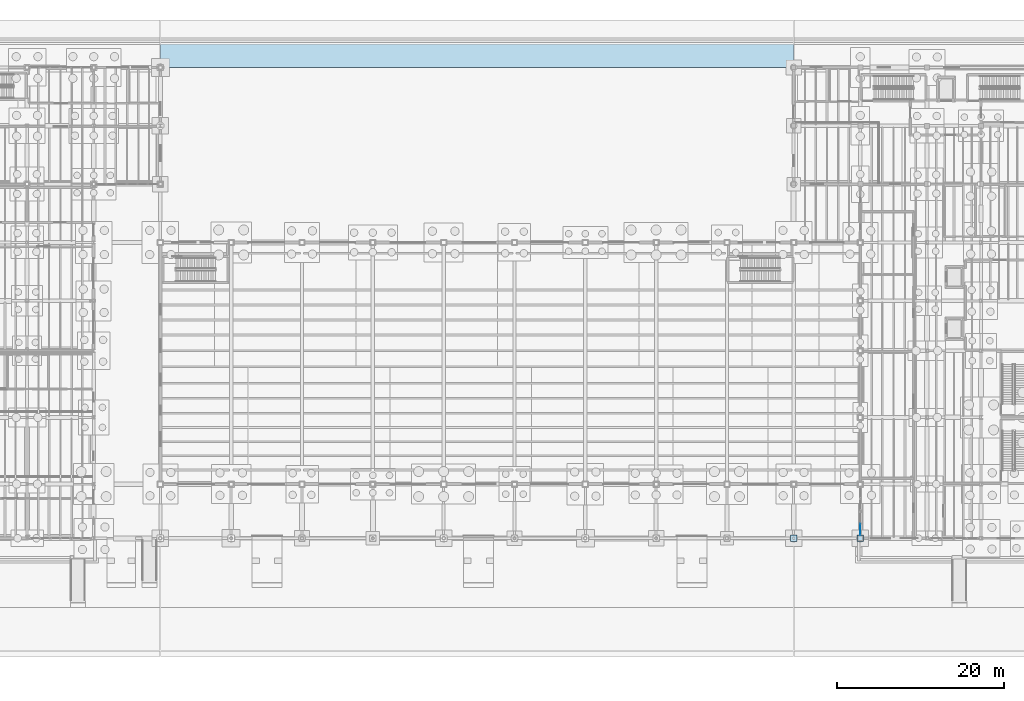
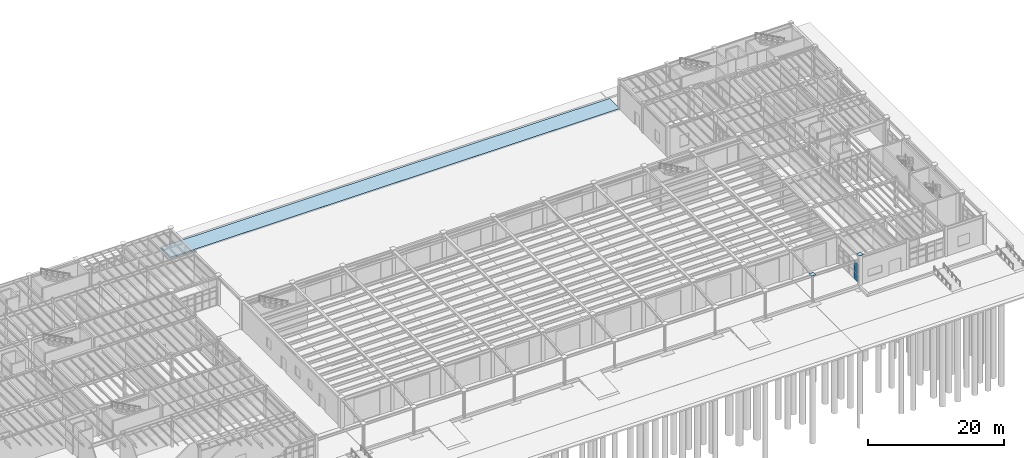
# One storey, part 52 of 86: 5 plates, 1 slab, 1 element without a shape of its own.
"""IFC4 building model written with IfcOpenShell, lengths in metres."""

import ifcopenshell
import ifcopenshell.guid

model = None  # the IFC model being written
_history = None  # IfcOwnerHistory: only IFC2X3 demands one
_inside = {}  # id of a spatial element -> (the spatial element, [elements in it])
_under = {}  # id of a project, library or spatial element -> (it, [spatial elements below it])
_declared = {}  # id of a project -> (the project, [libraries it declares])
_typed = {}  # id of a type object -> (the type object, [elements of that type])
_made_of = {}  # id of a material, layer set ... -> (it, [elements and type objects made of it])


def new_model(schema):
    """Start an empty IFC model of exactly this schema.

    Asked for "IFC4X3", IfcOpenShell would pick the latest addendum, in which some entities
    have other attributes; the version numbers below select the first issue.
    IFC2X3 requires an IfcOwnerHistory on every rooted entity: one is made here for all.
    """
    global model, _history
    if schema == "IFC4X3":
        model = ifcopenshell.file(schema_version=(4, 3, 0, 0))
    else:
        model = ifcopenshell.file(schema=schema)
    _inside.clear()
    _under.clear()
    _declared.clear()
    _typed.clear()
    _made_of.clear()
    _history = None
    if model.schema == "IFC2X3":
        org = make("IfcOrganization", Name="unknown")
        user = make(
            "IfcPersonAndOrganization",
            ThePerson=make("IfcPerson", FamilyName="unknown"),
            TheOrganization=org,
        )
        app = make(
            "IfcApplication",
            ApplicationDeveloper=org,
            Version="unknown",
            ApplicationFullName="unknown",
            ApplicationIdentifier="unknown",
        )
        _history = make(
            "IfcOwnerHistory",
            OwningUser=user,
            OwningApplication=app,
            ChangeAction="ADDED",
            CreationDate=0,
        )
    return model


def make(cls, **values):
    """One entity of the class cls with the attributes given. An attribute that is None is left unset."""
    return model.create_entity(
        cls, **{name: value for name, value in values.items() if value is not None}
    )


def rooted(cls, **values):
    """An entity with a GlobalId (a new one), such as an element, a storey or a relation."""
    return make(cls, GlobalId=ifcopenshell.guid.new(), OwnerHistory=_history, **values)


def si_unit(unit_type, name, prefix=None):
    """IfcSIUnit, for example si_unit("LENGTHUNIT", "METRE", prefix="MILLI")."""
    return make("IfcSIUnit", UnitType=unit_type, Prefix=prefix, Name=name)


def assignment(units):
    """IfcUnitAssignment: the units of a project."""
    return None if units is None else make("IfcUnitAssignment", Units=units)


def point(xyz):
    """IfcCartesianPoint."""
    return None if xyz is None else make("IfcCartesianPoint", Coordinates=xyz)


def direction(xyz):
    """IfcDirection."""
    return None if xyz is None else make("IfcDirection", DirectionRatios=xyz)


def frame(location, z_axis=None, x_axis=None):
    """IfcAxis2Placement3D, a coordinate frame: its origin and axes. An axis left out is left unset."""
    return make(
        "IfcAxis2Placement3D",
        Location=point(location),
        Axis=direction(z_axis),
        RefDirection=direction(x_axis),
    )


def frame_2d(location, x_axis=None):
    """IfcAxis2Placement2D, a coordinate frame in the plane: its origin and x axis."""
    return make(
        "IfcAxis2Placement2D", Location=point(location), RefDirection=direction(x_axis)
    )


def origin():
    """The frame at (0, 0, 0) with its axes left unset."""
    return frame((0.0, 0.0, 0.0))


def origin_2d():
    """The frame at (0, 0) in the plane with its x axis left unset."""
    return frame_2d((0.0, 0.0))


def place(relative_to, where):
    """IfcLocalPlacement: puts the frame where relative to a parent placement (None: the world)."""
    return make(
        "IfcLocalPlacement", PlacementRelTo=relative_to, RelativePlacement=where
    )


def context(
    kind, dimensions, precision=None, world=None, true_north=None, identifier=None
):
    """IfcGeometricRepresentationContext, for example the 3D "Model" context."""
    return make(
        "IfcGeometricRepresentationContext",
        ContextIdentifier=identifier,
        ContextType=kind,
        CoordinateSpaceDimension=dimensions,
        Precision=precision,
        WorldCoordinateSystem=world,
        TrueNorth=true_north,
    )


def subcontext(parent, identifier, kind, view, scale=None):
    """IfcGeometricRepresentationSubContext, for example "Body" below "Model"."""
    return make(
        "IfcGeometricRepresentationSubContext",
        ContextIdentifier=identifier,
        ContextType=kind,
        ParentContext=parent,
        TargetScale=scale,
        TargetView=view,
    )


def project(units=None, contexts=None):
    """IfcProject with its units and contexts."""
    return rooted(
        "IfcProject",
        Name="project",
        RepresentationContexts=contexts,
        UnitsInContext=assignment(units),
    )


def spatial(cls, under=None, at=None, **own):
    """A site, building, storey or space (cls), placed at a placement, below another one or the project."""
    s = rooted(cls, ObjectPlacement=at, **own)
    if under is not None:
        _under.setdefault(under.id(), (under, []))[1].append(s)
    return s


def polyline(points):
    """IfcPolyline through the points."""
    return make("IfcPolyline", Points=[point(p) for p in points])


def profile(cls, at=None, kind="AREA", **sizes):
    """A parametric profile (cls). Its sizes go by their IFC names, for example OverallWidth=200.0."""
    return make(cls, ProfileType=kind, Position=at, **sizes)


def rectangle(**sizes):
    """IfcRectangleProfileDef."""
    return profile("IfcRectangleProfileDef", **sizes)


def outline(outer, holes=None, kind="AREA"):
    """IfcArbitraryClosedProfileDef: a profile drawn as a closed curve; with holes, ...WithVoids."""
    if holes is None:
        return make("IfcArbitraryClosedProfileDef", ProfileType=kind, OuterCurve=outer)
    return make(
        "IfcArbitraryProfileDefWithVoids",
        ProfileType=kind,
        OuterCurve=outer,
        InnerCurves=holes,
    )


def extrude(swept, where, along, depth):
    """IfcExtrudedAreaSolid: the profile swept, set in the frame where, extruded along a direction by depth."""
    return make(
        "IfcExtrudedAreaSolid",
        SweptArea=swept,
        Position=where,
        ExtrudedDirection=direction(along),
        Depth=depth,
    )


def shape(context_of_items, identifier, shape_type, items):
    """IfcShapeRepresentation: the items that make up one representation, for example the "Body"."""
    return make(
        "IfcShapeRepresentation",
        ContextOfItems=context_of_items,
        RepresentationIdentifier=identifier,
        RepresentationType=shape_type,
        Items=items,
    )


def material(Name=None, Category=None):
    """IfcMaterial."""
    return make("IfcMaterial", Name=Name, Category=Category)


def layer(
    of_material, thickness, ventilated=None, Name=None, Category=None, Priority=None
):
    """IfcMaterialLayer: one layer of a wall or slab, of a material (None: an air gap)."""
    return make(
        "IfcMaterialLayer",
        Material=of_material,
        LayerThickness=thickness,
        IsVentilated=ventilated,
        Name=Name,
        Category=Category,
        Priority=Priority,
    )


def layer_set(layers, Name=None):
    """IfcMaterialLayerSet."""
    return make("IfcMaterialLayerSet", MaterialLayers=layers, LayerSetName=Name)


def material_profile(
    of_material, cross_section, Name=None, Category=None, Priority=None
):
    """IfcMaterialProfile: a cross section and its material."""
    return make(
        "IfcMaterialProfile",
        Name=Name,
        Material=of_material,
        Profile=cross_section,
        Priority=Priority,
        Category=Category,
    )


def profile_set(profiles, Name=None, composite=None):
    """IfcMaterialProfileSet."""
    return make(
        "IfcMaterialProfileSet",
        Name=Name,
        MaterialProfiles=profiles,
        CompositeProfile=composite,
    )


def made_of(thing, what):
    """Note that an element or type object is made of a material, layer set ...; save() writes the relation."""
    if what is not None:
        _made_of.setdefault(what.id(), (what, []))[1].append(thing)
    return thing


def type_object(cls, material=None, **own):
    """A type object (cls), such as IfcWallType, which elements share."""
    return made_of(rooted(cls, **own), material)


def element(
    cls,
    number,
    at=None,
    inside=None,
    cuts=None,
    type_object=None,
    material=None,
    context=None,
    identifier="Body",
    shape_type=None,
    held_by="IfcProductDefinitionShape",
    body=None,
    shapes=None,
    **own,
):
    """One element of the class cls, such as IfcWall. Its Tag is "e" and its number.

    at: its placement. inside: the storey or other place that contains it. cuts: it is an
    opening in that element (IfcRelVoidsElement). A single representation is given by context,
    identifier, shape_type and body (its items); several are given by shapes. held_by: the class
    of the entity that holds the representations. save() writes the other relations.
    """
    e = rooted(cls, Tag="e%d" % number, ObjectPlacement=at, **own)
    if body is not None:
        shapes = [shape(context, identifier, shape_type, body)]
    if shapes is not None:
        e.Representation = make(held_by, Representations=shapes)
    if inside is not None:
        _inside.setdefault(inside.id(), (inside, []))[1].append(e)
    if cuts is not None:
        rooted(
            "IfcRelVoidsElement", RelatingBuildingElement=cuts, RelatedOpeningElement=e
        )
    if type_object is not None:
        _typed.setdefault(type_object.id(), (type_object, []))[1].append(e)
    return made_of(e, material)


def aggregate(whole, parts):
    """IfcRelAggregates: a whole, such as a stair, and the parts it consists of."""
    return rooted("IfcRelAggregates", RelatingObject=whole, RelatedObjects=parts)


def save(model, path):
    """Write the relations noted so far, then the file.

    IfcRelAggregates (storeys below a building ...), IfcRelContainedInSpatialStructure (elements
    in a storey), IfcRelDefinesByType, IfcRelAssociatesMaterial and IfcRelDeclares: one each for
    every whole, place, type object, material and project.
    """
    for whole, parts in _under.values():
        aggregate(whole, parts)
    for where, things in _inside.values():
        rooted(
            "IfcRelContainedInSpatialStructure",
            RelatedElements=things,
            RelatingStructure=where,
        )
    for kind, things in _typed.values():
        rooted("IfcRelDefinesByType", RelatedObjects=things, RelatingType=kind)
    for what, things in _made_of.values():
        rooted("IfcRelAssociatesMaterial", RelatedObjects=things, RelatingMaterial=what)
    for by, libraries in _declared.values():
        rooted("IfcRelDeclares", RelatingContext=by, RelatedDefinitions=libraries)
    model.write(path)


model = new_model("IFC4")

# Units and contexts
model_context = context("Model", 3, precision=1e-05, world=origin(), true_north=direction((0.0, 1.0)))
body_context = subcontext(model_context, "Body", "Model", "MODEL_VIEW")
ifc_project = project(units=[si_unit("LENGTHUNIT", "METRE"), si_unit("AREAUNIT", "SQUARE_METRE"), si_unit("VOLUMEUNIT", "CUBIC_METRE"), si_unit("PLANEANGLEUNIT", "RADIAN"), si_unit("MASSUNIT", "GRAM", prefix="KILO"), si_unit("THERMODYNAMICTEMPERATUREUNIT", "KELVIN"), si_unit("POWERUNIT", "WATT")], contexts=[model_context])

# Site, building, storey
site_placement = place(None, origin())
site = spatial("IfcSite", under=ifc_project, at=site_placement, CompositionType="ELEMENT")
building_placement = place(site_placement, origin())
building = spatial("IfcBuilding", under=site, at=building_placement, Name="Zhenchuan Central Fire Station", CompositionType="ELEMENT")
storey_placement = place(building_placement, frame((0.0, 0.0, 0.449951171875)))
storey = spatial("IfcBuildingStorey", under=building, at=storey_placement, Name="L01", CompositionType="ELEMENT", Elevation=0.449951171875)

# Curtain wall, plates
ifc_material_1 = material(Name="Anodised aluminium and low-E glazing", Category="aluminium")
curtain_wall_type = type_object("IfcCurtainWallType", Name="CW-MOD-09", PredefinedType="USERDEFINED", material=ifc_material_1)
curtain_wall_placement = place(storey_placement, origin())
curtain_wall = element("IfcCurtainWall", 1, at=curtain_wall_placement, inside=storey, type_object=curtain_wall_type, Name="L01 Unitised Curtain Wall 080", ObjectType="UNITISED GLAZING", PredefinedType="USERDEFINED")
ifc_material_2 = material(Name="Laminated low-E double glazing", Category="glass")
ifc_layer_1 = layer(ifc_material_2, 0.011962890625, Name="Laminated low-E double glazing", Category="glass")
ifc_layer_set_1 = layer_set([ifc_layer_1], Name="Laminated low-E double glazing")
plate_type_1 = type_object("IfcPlateType", Name="CW-PNL12", PredefinedType="CURTAIN_PANEL", material=ifc_layer_set_1)
plate_1_placement = place(storey_placement, frame((140.0, 1.044189453125, 0.06103515625), z_axis=(0.0, 0.0, 1.0), x_axis=(0.0, 1.0, 0.0)))
plate_1 = element("IfcPlate", 2, at=plate_1_placement, type_object=plate_type_1, Name="CW-09 panel 1.1", PredefinedType="CURTAIN_PANEL", context=body_context, shape_type="SweptSolid", body=[
    extrude(rectangle(XDim=1.3583984375, YDim=0.011962890625, at=origin_2d()), origin(), (0.0, 0.0, 1.0), 1.33447265625),
])
plate_2_placement = place(storey_placement, frame((140.0, 1.044189453125, 1.46044921875), z_axis=(0.0, 0.0, 1.0), x_axis=(0.0, 1.0, 0.0)))
plate_2 = element("IfcPlate", 3, at=plate_2_placement, type_object=plate_type_1, Name="CW-09 panel 1.2", PredefinedType="CURTAIN_PANEL", context=body_context, shape_type="SweptSolid", body=[
    extrude(rectangle(XDim=1.3583984375, YDim=0.011962890625, at=origin_2d()), origin(), (0.0, 0.0, 1.0), 1.158935546875),
])
plate_3_placement = place(storey_placement, frame((140.0, 1.044189453125, 2.6845703125), z_axis=(0.0, 0.0, 1.0), x_axis=(0.0, 1.0, 0.0)))
plate_3 = element("IfcPlate", 4, at=plate_3_placement, type_object=plate_type_1, Name="CW-09 panel 1.3", PredefinedType="CURTAIN_PANEL", context=body_context, shape_type="SweptSolid", body=[
    extrude(rectangle(XDim=1.3583984375, YDim=0.011962890625, at=origin_2d()), origin(), (0.0, 0.0, 1.0), 0.650390625),
])
aggregate(curtain_wall, [plate_1, plate_2, plate_3])

# Plates
ifc_material_3 = material(Name="Steel Q355B", Category="steel")
ifc_material_profile = material_profile(ifc_material_3, rectangle(XDim=0.760009765625, YDim=0.760009765625, at=origin_2d()), Name="PL 760x760x40")
ifc_profile_set = profile_set([ifc_material_profile], Name="Steel Q355B")
plate_type_2 = type_object("IfcPlateType", Name="PL-BAS40", PredefinedType="SHEET", material=ifc_profile_set)
for number, where, z_axis, x_axis, name in (
    (5, (132.0, 0.0, 4.60595703125), (0.0, 0.0, 1.0), (1.0, 0.0, 0.0), "L01 Column 094 end cap plate B"),
    (6, (140.0, 0.0, 5.39599609375), (0.0, 0.0, 1.0), (1.0, 0.0, 0.0), "L01 Column 100 end cap plate B"),
):
    element("IfcPlate", number, at=place(storey_placement, frame(where, z_axis=z_axis, x_axis=x_axis)), inside=storey, type_object=plate_type_2, Name=name, PredefinedType="SHEET", context=body_context, shape_type="SweptSolid", body=[
        extrude(rectangle(XDim=0.760009765625, YDim=0.760009765625, at=origin_2d()), origin(), (0.0, 0.0, 1.0), 0.02001953125),
    ])

# Slab
ifc_material_4 = material(Name="Concrete C35/45", Category="concrete")
ifc_layer_2 = layer(ifc_material_4, 0.25, Name="Concrete C35/45", Category="concrete")
ifc_layer_set_2 = layer_set([ifc_layer_2], Name="Concrete C35/45")
slab_type = type_object("IfcSlabType", Name="SL-BASE250-EXT", PredefinedType="BASESLAB", material=ifc_layer_set_2)
slab_placement = place(storey_placement, frame((0.0, 0.0, -0.25)))
element("IfcSlab", 7, at=slab_placement, inside=storey, type_object=slab_type, Name="North Perimeter Escape Walkway Central", PredefinedType="BASESLAB", context=body_context, shape_type="SweptSolid", body=[
    extrude(outline(polyline([(56.02490234375, 56.50390625), (131.97509765625, 56.50390625), (131.97509765625, 59.5), (56.02490234375, 59.5), (56.02490234375, 56.50390625)])), origin(), (0.0, 0.0, 1.0), 0.25),
])

save(model, "model.ifc")
